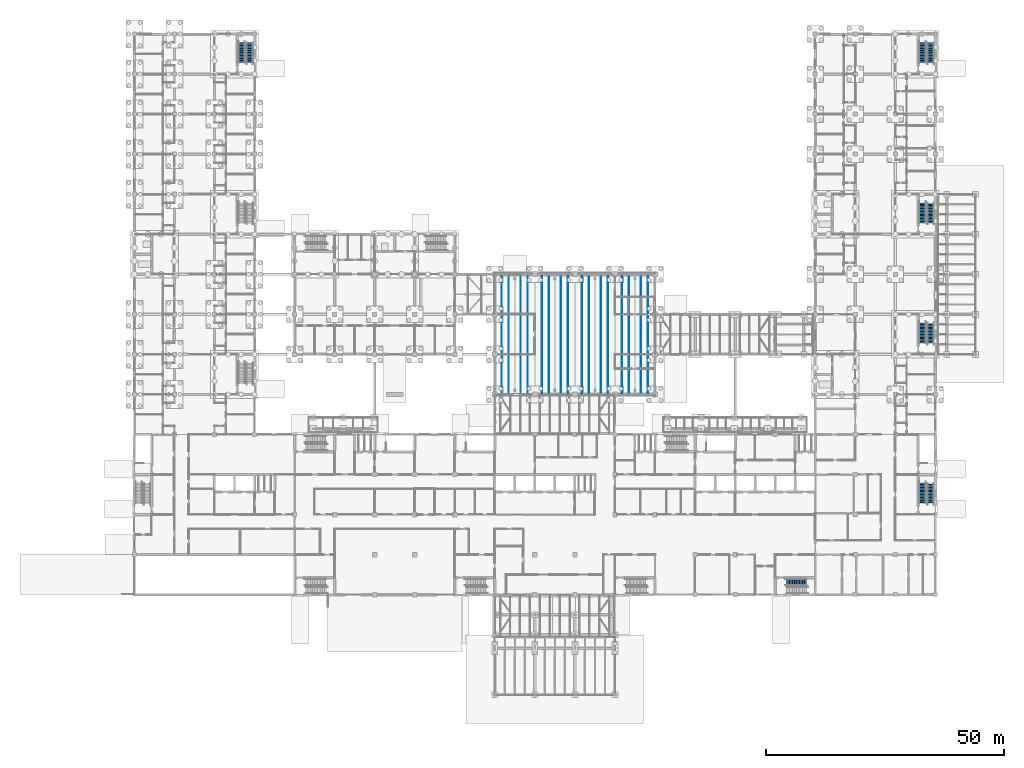
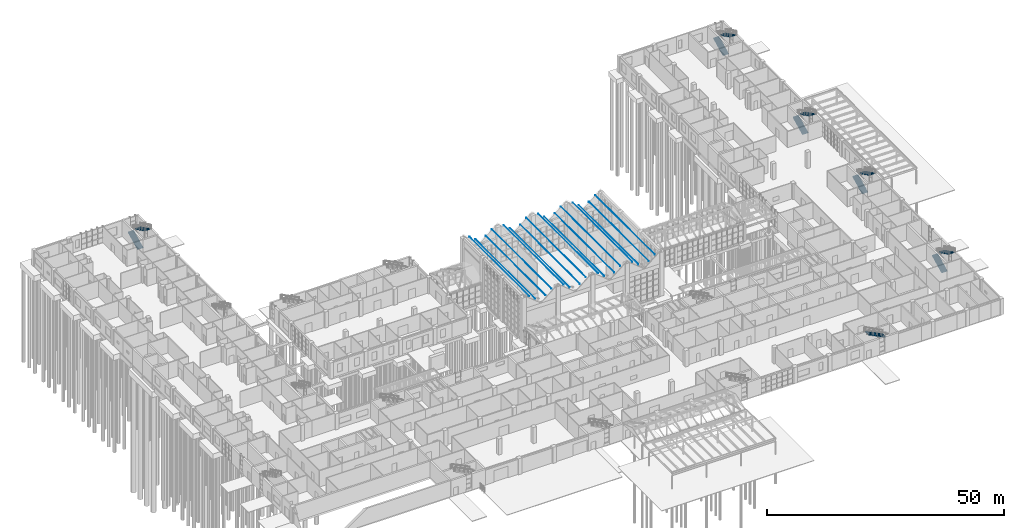
# One storey, part 125 of 138: 16 discrete accessories, 11 stair flights, 6 elements without a shape of their own.
"""IFC4 building model written with IfcOpenShell, lengths in metres."""

from ifc_helpers import new_model, si_unit, direction, frame, origin, origin_2d, place, context, subcontext, project, spatial, polyline, hollow_rectangle, outline, extrude, material, material_profile, profile_set, type_object, element, aggregate, save


model = new_model("IFC4")

# Units and contexts
model_context = context("Model", 3, precision=1e-05, world=origin(), true_north=direction((0.0, 1.0)))
body_context = subcontext(model_context, "Body", "Model", "MODEL_VIEW")
ifc_project = project(units=[si_unit("LENGTHUNIT", "METRE"), si_unit("AREAUNIT", "SQUARE_METRE"), si_unit("VOLUMEUNIT", "CUBIC_METRE"), si_unit("PLANEANGLEUNIT", "RADIAN"), si_unit("MASSUNIT", "GRAM", prefix="KILO")], contexts=[model_context])

# Site, building, storey
site_placement = place(None, origin())
site = spatial("IfcSite", under=ifc_project, at=site_placement, CompositionType="ELEMENT")
building_placement = place(site_placement, origin())
building = spatial("IfcBuilding", under=site, at=building_placement, Name="Yavir Park General Hospital", CompositionType="ELEMENT")
storey_placement = place(building_placement, origin())
storey = spatial("IfcBuildingStorey", under=building, at=storey_placement, Name="L00", CompositionType="ELEMENT", Elevation=0.0)

# Stair, stair flight
ifc_material_1 = material(Name="Concrete C30/37", Category="concrete")
stair_type = type_object("IfcStairType", Name="Patient escape stair, 30 risers of 150 mm, 1400 mm flights", PredefinedType="HALF_TURN_STAIR", material=ifc_material_1)
stair_1_placement = place(storey_placement, origin())
stair_1 = element("IfcStair", 1, at=stair_1_placement, inside=storey, type_object=stair_type, Name="Stair SU5, L00 to L01", PredefinedType="HALF_TURN_STAIR")
ifc_material_2 = material(Name="Concrete C30/37", Category="concrete")
stair_flight_type = type_object("IfcStairFlightType", Name="Patient escape stair flight, 15 risers, 1400 mm wide", PredefinedType="STRAIGHT", material=ifc_material_2)
stair_flight_1_placement = place(storey_placement, frame((141.0, 2.64990234375, 2.25), z_axis=(0.0, 0.0, 1.0), x_axis=(-1.0, 0.0, 0.0)))
stair_flight_1 = element("IfcStairFlight", 2, at=stair_flight_1_placement, type_object=stair_flight_type, Name="SU5 flight 2", NumberOfRisers=15, NumberOfTreads=14, PredefinedType="STRAIGHT", RiserHeight=0.15, TreadLength=0.3, context=body_context, shape_type="SweptSolid", body=[
    extrude(outline(polyline([(0.0, 0.0), (0.0, 0.14990234375), (0.300048828125, 0.14990234375), (0.300048828125, 0.300048828125), (0.60009765625, 0.300048828125), (0.60009765625, 0.449951171875), (0.89990234375, 0.449951171875), (0.89990234375, 0.60009765625), (1.199951171875, 0.60009765625), (1.199951171875, 0.75), (1.5, 0.75), (1.5, 0.89990234375), (1.800048828125, 0.89990234375), (1.800048828125, 1.050048828125), (2.10009765625, 1.050048828125), (2.10009765625, 1.199951171875), (2.39990234375, 1.199951171875), (2.39990234375, 1.35009765625), (2.699951171875, 1.35009765625), (2.699951171875, 1.5), (3.0, 1.5), (3.0, 1.64990234375), (3.300048828125, 1.64990234375), (3.300048828125, 1.800048828125), (3.60009765625, 1.800048828125), (3.60009765625, 1.949951171875), (3.89990234375, 1.949951171875), (3.89990234375, 2.10009765625), (4.199951171875, 2.10009765625), (4.199951171875, 2.25), (4.199951171875, 1.921142578125), (0.357666015625, 0.0), (0.0, 0.0)])), frame((0.0, 0.699951171875, 0.0), z_axis=(0.0, -1.0, 0.0), x_axis=(1.0, 0.0, 0.0)), (0.0, 0.0, 1.0), 1.39990234375),
])
aggregate(stair_1, [stair_flight_1])

# Stair, stair flights
stair_2_placement = place(storey_placement, origin())
stair_2 = element("IfcStair", 3, at=stair_2_placement, inside=storey, type_object=stair_type, Name="Stair SU6, L00 to L01", PredefinedType="HALF_TURN_STAIR")
stair_flight_2_placement = place(storey_placement, frame((165.300048828125, 19.199951171875, 0.0), z_axis=(0.0, 0.0, 1.0), x_axis=(0.0, 1.0, 0.0)))
stair_flight_2 = element("IfcStairFlight", 4, at=stair_flight_2_placement, type_object=stair_flight_type, Name="SU6 flight 1", NumberOfRisers=15, NumberOfTreads=14, PredefinedType="STRAIGHT", RiserHeight=0.15, TreadLength=0.3, context=body_context, shape_type="SweptSolid", body=[
    extrude(outline(polyline([(0.0, 0.0), (0.0, 0.14990234375), (0.300048828125, 0.14990234375), (0.300048828125, 0.300048828125), (0.60009765625, 0.300048828125), (0.60009765625, 0.449951171875), (0.89990234375, 0.449951171875), (0.89990234375, 0.60009765625), (1.199951171875, 0.60009765625), (1.199951171875, 0.75), (1.5, 0.75), (1.5, 0.89990234375), (1.800048828125, 0.89990234375), (1.800048828125, 1.050048828125), (2.10009765625, 1.050048828125), (2.10009765625, 1.199951171875), (2.39990234375, 1.199951171875), (2.39990234375, 1.35009765625), (2.699951171875, 1.35009765625), (2.699951171875, 1.5), (3.0, 1.5), (3.0, 1.64990234375), (3.300048828125, 1.64990234375), (3.300048828125, 1.800048828125), (3.60009765625, 1.800048828125), (3.60009765625, 1.949951171875), (3.89990234375, 1.949951171875), (3.89990234375, 2.10009765625), (4.199951171875, 2.10009765625), (4.199951171875, 2.25), (4.199951171875, 1.921142578125), (0.357666015625, 0.0), (0.0, 0.0)])), frame((0.0, 0.699951171875, 0.0), z_axis=(0.0, -1.0, 0.0), x_axis=(1.0, 0.0, 0.0)), (0.0, 0.0, 1.0), 1.39990234375),
])
stair_flight_3_placement = place(storey_placement, frame((167.0, 23.39990234375, 2.25), z_axis=(0.0, 0.0, 1.0), x_axis=(0.0, -1.0, 0.0)))
stair_flight_3 = element("IfcStairFlight", 5, at=stair_flight_3_placement, type_object=stair_flight_type, Name="SU6 flight 2", NumberOfRisers=15, NumberOfTreads=14, PredefinedType="STRAIGHT", RiserHeight=0.15, TreadLength=0.3, context=body_context, shape_type="SweptSolid", body=[
    extrude(outline(polyline([(0.0, 0.0), (0.0, 0.14990234375), (0.300048828125, 0.14990234375), (0.300048828125, 0.300048828125), (0.60009765625, 0.300048828125), (0.60009765625, 0.449951171875), (0.89990234375, 0.449951171875), (0.89990234375, 0.60009765625), (1.199951171875, 0.60009765625), (1.199951171875, 0.75), (1.5, 0.75), (1.5, 0.89990234375), (1.800048828125, 0.89990234375), (1.800048828125, 1.050048828125), (2.10009765625, 1.050048828125), (2.10009765625, 1.199951171875), (2.39990234375, 1.199951171875), (2.39990234375, 1.35009765625), (2.699951171875, 1.35009765625), (2.699951171875, 1.5), (3.0, 1.5), (3.0, 1.64990234375), (3.300048828125, 1.64990234375), (3.300048828125, 1.800048828125), (3.60009765625, 1.800048828125), (3.60009765625, 1.949951171875), (3.89990234375, 1.949951171875), (3.89990234375, 2.10009765625), (4.199951171875, 2.10009765625), (4.199951171875, 2.25), (4.199951171875, 1.921142578125), (0.357666015625, 0.0), (0.0, 0.0)])), frame((0.0, 0.699951171875, 0.0), z_axis=(0.0, -1.0, 0.0), x_axis=(1.0, 0.0, 0.0)), (0.0, 0.0, 1.0), 1.39990234375),
])
aggregate(stair_2, [stair_flight_2, stair_flight_3])

stair_3_placement = place(storey_placement, origin())
stair_3 = element("IfcStair", 6, at=stair_3_placement, inside=storey, type_object=stair_type, Name="Stair SW3, L00 to L01", PredefinedType="HALF_TURN_STAIR")
stair_flight_4_placement = place(storey_placement, frame((22.5, 111.60009765625, 0.0), z_axis=(0.0, 0.0, 1.0), x_axis=(0.0, 1.0, 0.0)))
stair_flight_4 = element("IfcStairFlight", 7, at=stair_flight_4_placement, type_object=stair_flight_type, Name="SW3 flight 1", NumberOfRisers=15, NumberOfTreads=14, PredefinedType="STRAIGHT", RiserHeight=0.15, TreadLength=0.3, context=body_context, shape_type="SweptSolid", body=[
    extrude(outline(polyline([(0.0, 0.0), (0.0, 0.14990234375), (0.300048828125, 0.14990234375), (0.300048828125, 0.300048828125), (0.60009765625, 0.300048828125), (0.60009765625, 0.449951171875), (0.89990234375, 0.449951171875), (0.89990234375, 0.60009765625), (1.199951171875, 0.60009765625), (1.199951171875, 0.75), (1.5, 0.75), (1.5, 0.89990234375), (1.800048828125, 0.89990234375), (1.800048828125, 1.050048828125), (2.10009765625, 1.050048828125), (2.10009765625, 1.199951171875), (2.39990234375, 1.199951171875), (2.39990234375, 1.35009765625), (2.699951171875, 1.35009765625), (2.699951171875, 1.5), (3.0, 1.5), (3.0, 1.64990234375), (3.300048828125, 1.64990234375), (3.300048828125, 1.800048828125), (3.60009765625, 1.800048828125), (3.60009765625, 1.949951171875), (3.89990234375, 1.949951171875), (3.89990234375, 2.10009765625), (4.199951171875, 2.10009765625), (4.199951171875, 2.25), (4.199951171875, 1.921142578125), (0.357666015625, 0.0), (0.0, 0.0)])), frame((0.0, 0.699951171875, 0.0), z_axis=(0.0, -1.0, 0.0), x_axis=(1.0, 0.0, 0.0)), (0.0, 0.0, 1.0), 1.39990234375),
])
stair_flight_5_placement = place(storey_placement, frame((24.199951171875, 115.800048828125, 2.25), z_axis=(0.0, 0.0, 1.0), x_axis=(0.0, -1.0, 0.0)))
stair_flight_5 = element("IfcStairFlight", 8, at=stair_flight_5_placement, type_object=stair_flight_type, Name="SW3 flight 2", NumberOfRisers=15, NumberOfTreads=14, PredefinedType="STRAIGHT", RiserHeight=0.15, TreadLength=0.3, context=body_context, shape_type="SweptSolid", body=[
    extrude(outline(polyline([(0.0, 0.0), (0.0, 0.14990234375), (0.300048828125, 0.14990234375), (0.300048828125, 0.300048828125), (0.60009765625, 0.300048828125), (0.60009765625, 0.449951171875), (0.89990234375, 0.449951171875), (0.89990234375, 0.60009765625), (1.199951171875, 0.60009765625), (1.199951171875, 0.75), (1.5, 0.75), (1.5, 0.89990234375), (1.800048828125, 0.89990234375), (1.800048828125, 1.050048828125), (2.10009765625, 1.050048828125), (2.10009765625, 1.199951171875), (2.39990234375, 1.199951171875), (2.39990234375, 1.35009765625), (2.699951171875, 1.35009765625), (2.699951171875, 1.5), (3.0, 1.5), (3.0, 1.64990234375), (3.300048828125, 1.64990234375), (3.300048828125, 1.800048828125), (3.60009765625, 1.800048828125), (3.60009765625, 1.949951171875), (3.89990234375, 1.949951171875), (3.89990234375, 2.10009765625), (4.199951171875, 2.10009765625), (4.199951171875, 2.25), (4.199951171875, 1.921142578125), (0.357666015625, 0.0), (0.0, 0.0)])), frame((0.0, 0.699951171875, 0.0), z_axis=(0.0, -1.0, 0.0), x_axis=(1.0, 0.0, 0.0)), (0.0, 0.0, 1.0), 1.39990234375),
])
aggregate(stair_3, [stair_flight_4, stair_flight_5])

stair_4_placement = place(storey_placement, origin())
stair_4 = element("IfcStair", 9, at=stair_4_placement, inside=storey, type_object=stair_type, Name="Stair ES1, L00 to L01", PredefinedType="HALF_TURN_STAIR")
stair_flight_6_placement = place(storey_placement, frame((165.300048828125, 52.800048828125, 0.0), z_axis=(0.0, 0.0, 1.0), x_axis=(0.0, 1.0, 0.0)))
stair_flight_6 = element("IfcStairFlight", 10, at=stair_flight_6_placement, type_object=stair_flight_type, Name="ES1 flight 1", NumberOfRisers=15, NumberOfTreads=14, PredefinedType="STRAIGHT", RiserHeight=0.15, TreadLength=0.3, context=body_context, shape_type="SweptSolid", body=[
    extrude(outline(polyline([(0.0, 0.0), (0.0, 0.14990234375), (0.300048828125, 0.14990234375), (0.300048828125, 0.300048828125), (0.60009765625, 0.300048828125), (0.60009765625, 0.449951171875), (0.89990234375, 0.449951171875), (0.89990234375, 0.60009765625), (1.199951171875, 0.60009765625), (1.199951171875, 0.75), (1.5, 0.75), (1.5, 0.89990234375), (1.800048828125, 0.89990234375), (1.800048828125, 1.050048828125), (2.10009765625, 1.050048828125), (2.10009765625, 1.199951171875), (2.39990234375, 1.199951171875), (2.39990234375, 1.35009765625), (2.699951171875, 1.35009765625), (2.699951171875, 1.5), (3.0, 1.5), (3.0, 1.64990234375), (3.300048828125, 1.64990234375), (3.300048828125, 1.800048828125), (3.60009765625, 1.800048828125), (3.60009765625, 1.949951171875), (3.89990234375, 1.949951171875), (3.89990234375, 2.10009765625), (4.199951171875, 2.10009765625), (4.199951171875, 2.25), (4.199951171875, 1.921142578125), (0.357666015625, 0.0), (0.0, 0.0)])), frame((0.0, 0.699951171875, 0.0), z_axis=(0.0, -1.0, 0.0), x_axis=(1.0, 0.0, 0.0)), (0.0, 0.0, 1.0), 1.39990234375),
])
stair_flight_7_placement = place(storey_placement, frame((167.0, 57.0, 2.25), z_axis=(0.0, 0.0, 1.0), x_axis=(0.0, -1.0, 0.0)))
stair_flight_7 = element("IfcStairFlight", 11, at=stair_flight_7_placement, type_object=stair_flight_type, Name="ES1 flight 2", NumberOfRisers=15, NumberOfTreads=14, PredefinedType="STRAIGHT", RiserHeight=0.15, TreadLength=0.3, context=body_context, shape_type="SweptSolid", body=[
    extrude(outline(polyline([(0.0, 0.0), (0.0, 0.14990234375), (0.300048828125, 0.14990234375), (0.300048828125, 0.300048828125), (0.60009765625, 0.300048828125), (0.60009765625, 0.449951171875), (0.89990234375, 0.449951171875), (0.89990234375, 0.60009765625), (1.199951171875, 0.60009765625), (1.199951171875, 0.75), (1.5, 0.75), (1.5, 0.89990234375), (1.800048828125, 0.89990234375), (1.800048828125, 1.050048828125), (2.10009765625, 1.050048828125), (2.10009765625, 1.199951171875), (2.39990234375, 1.199951171875), (2.39990234375, 1.35009765625), (2.699951171875, 1.35009765625), (2.699951171875, 1.5), (3.0, 1.5), (3.0, 1.64990234375), (3.300048828125, 1.64990234375), (3.300048828125, 1.800048828125), (3.60009765625, 1.800048828125), (3.60009765625, 1.949951171875), (3.89990234375, 1.949951171875), (3.89990234375, 2.10009765625), (4.199951171875, 2.10009765625), (4.199951171875, 2.25), (4.199951171875, 1.921142578125), (0.357666015625, 0.0), (0.0, 0.0)])), frame((0.0, 0.699951171875, 0.0), z_axis=(0.0, -1.0, 0.0), x_axis=(1.0, 0.0, 0.0)), (0.0, 0.0, 1.0), 1.39990234375),
])
aggregate(stair_4, [stair_flight_6, stair_flight_7])

stair_5_placement = place(storey_placement, origin())
stair_5 = element("IfcStair", 12, at=stair_5_placement, inside=storey, type_object=stair_type, Name="Stair ES2, L00 to L01", PredefinedType="HALF_TURN_STAIR")
stair_flight_8_placement = place(storey_placement, frame((165.300048828125, 78.0, 0.0), z_axis=(0.0, 0.0, 1.0), x_axis=(0.0, 1.0, 0.0)))
stair_flight_8 = element("IfcStairFlight", 13, at=stair_flight_8_placement, type_object=stair_flight_type, Name="ES2 flight 1", NumberOfRisers=15, NumberOfTreads=14, PredefinedType="STRAIGHT", RiserHeight=0.15, TreadLength=0.3, context=body_context, shape_type="SweptSolid", body=[
    extrude(outline(polyline([(0.0, 0.0), (0.0, 0.14990234375), (0.300048828125, 0.14990234375), (0.300048828125, 0.300048828125), (0.60009765625, 0.300048828125), (0.60009765625, 0.449951171875), (0.89990234375, 0.449951171875), (0.89990234375, 0.60009765625), (1.199951171875, 0.60009765625), (1.199951171875, 0.75), (1.5, 0.75), (1.5, 0.89990234375), (1.800048828125, 0.89990234375), (1.800048828125, 1.050048828125), (2.10009765625, 1.050048828125), (2.10009765625, 1.199951171875), (2.39990234375, 1.199951171875), (2.39990234375, 1.35009765625), (2.699951171875, 1.35009765625), (2.699951171875, 1.5), (3.0, 1.5), (3.0, 1.64990234375), (3.300048828125, 1.64990234375), (3.300048828125, 1.800048828125), (3.60009765625, 1.800048828125), (3.60009765625, 1.949951171875), (3.89990234375, 1.949951171875), (3.89990234375, 2.10009765625), (4.199951171875, 2.10009765625), (4.199951171875, 2.25), (4.199951171875, 1.921142578125), (0.357666015625, 0.0), (0.0, 0.0)])), frame((0.0, 0.699951171875, 0.0), z_axis=(0.0, -1.0, 0.0), x_axis=(1.0, 0.0, 0.0)), (0.0, 0.0, 1.0), 1.39990234375),
])
stair_flight_9_placement = place(storey_placement, frame((167.0, 82.199951171875, 2.25), z_axis=(0.0, 0.0, 1.0), x_axis=(0.0, -1.0, 0.0)))
stair_flight_9 = element("IfcStairFlight", 14, at=stair_flight_9_placement, type_object=stair_flight_type, Name="ES2 flight 2", NumberOfRisers=15, NumberOfTreads=14, PredefinedType="STRAIGHT", RiserHeight=0.15, TreadLength=0.3, context=body_context, shape_type="SweptSolid", body=[
    extrude(outline(polyline([(0.0, 0.0), (0.0, 0.14990234375), (0.300048828125, 0.14990234375), (0.300048828125, 0.300048828125), (0.60009765625, 0.300048828125), (0.60009765625, 0.449951171875), (0.89990234375, 0.449951171875), (0.89990234375, 0.60009765625), (1.199951171875, 0.60009765625), (1.199951171875, 0.75), (1.5, 0.75), (1.5, 0.89990234375), (1.800048828125, 0.89990234375), (1.800048828125, 1.050048828125), (2.10009765625, 1.050048828125), (2.10009765625, 1.199951171875), (2.39990234375, 1.199951171875), (2.39990234375, 1.35009765625), (2.699951171875, 1.35009765625), (2.699951171875, 1.5), (3.0, 1.5), (3.0, 1.64990234375), (3.300048828125, 1.64990234375), (3.300048828125, 1.800048828125), (3.60009765625, 1.800048828125), (3.60009765625, 1.949951171875), (3.89990234375, 1.949951171875), (3.89990234375, 2.10009765625), (4.199951171875, 2.10009765625), (4.199951171875, 2.25), (4.199951171875, 1.921142578125), (0.357666015625, 0.0), (0.0, 0.0)])), frame((0.0, 0.699951171875, 0.0), z_axis=(0.0, -1.0, 0.0), x_axis=(1.0, 0.0, 0.0)), (0.0, 0.0, 1.0), 1.39990234375),
])
aggregate(stair_5, [stair_flight_8, stair_flight_9])

stair_6_placement = place(storey_placement, origin())
stair_6 = element("IfcStair", 15, at=stair_6_placement, inside=storey, type_object=stair_type, Name="Stair ES3, L00 to L01", PredefinedType="HALF_TURN_STAIR")
stair_flight_10_placement = place(storey_placement, frame((165.300048828125, 111.60009765625, 0.0), z_axis=(0.0, 0.0, 1.0), x_axis=(0.0, 1.0, 0.0)))
stair_flight_10 = element("IfcStairFlight", 16, at=stair_flight_10_placement, type_object=stair_flight_type, Name="ES3 flight 1", NumberOfRisers=15, NumberOfTreads=14, PredefinedType="STRAIGHT", RiserHeight=0.15, TreadLength=0.3, context=body_context, shape_type="SweptSolid", body=[
    extrude(outline(polyline([(0.0, 0.0), (0.0, 0.14990234375), (0.300048828125, 0.14990234375), (0.300048828125, 0.300048828125), (0.60009765625, 0.300048828125), (0.60009765625, 0.449951171875), (0.89990234375, 0.449951171875), (0.89990234375, 0.60009765625), (1.199951171875, 0.60009765625), (1.199951171875, 0.75), (1.5, 0.75), (1.5, 0.89990234375), (1.800048828125, 0.89990234375), (1.800048828125, 1.050048828125), (2.10009765625, 1.050048828125), (2.10009765625, 1.199951171875), (2.39990234375, 1.199951171875), (2.39990234375, 1.35009765625), (2.699951171875, 1.35009765625), (2.699951171875, 1.5), (3.0, 1.5), (3.0, 1.64990234375), (3.300048828125, 1.64990234375), (3.300048828125, 1.800048828125), (3.60009765625, 1.800048828125), (3.60009765625, 1.949951171875), (3.89990234375, 1.949951171875), (3.89990234375, 2.10009765625), (4.199951171875, 2.10009765625), (4.199951171875, 2.25), (4.199951171875, 1.921142578125), (0.357666015625, 0.0), (0.0, 0.0)])), frame((0.0, 0.699951171875, 0.0), z_axis=(0.0, -1.0, 0.0), x_axis=(1.0, 0.0, 0.0)), (0.0, 0.0, 1.0), 1.39990234375),
])
stair_flight_11_placement = place(storey_placement, frame((167.0, 115.800048828125, 2.25), z_axis=(0.0, 0.0, 1.0), x_axis=(0.0, -1.0, 0.0)))
stair_flight_11 = element("IfcStairFlight", 17, at=stair_flight_11_placement, type_object=stair_flight_type, Name="ES3 flight 2", NumberOfRisers=15, NumberOfTreads=14, PredefinedType="STRAIGHT", RiserHeight=0.15, TreadLength=0.3, context=body_context, shape_type="SweptSolid", body=[
    extrude(outline(polyline([(0.0, 0.0), (0.0, 0.14990234375), (0.300048828125, 0.14990234375), (0.300048828125, 0.300048828125), (0.60009765625, 0.300048828125), (0.60009765625, 0.449951171875), (0.89990234375, 0.449951171875), (0.89990234375, 0.60009765625), (1.199951171875, 0.60009765625), (1.199951171875, 0.75), (1.5, 0.75), (1.5, 0.89990234375), (1.800048828125, 0.89990234375), (1.800048828125, 1.050048828125), (2.10009765625, 1.050048828125), (2.10009765625, 1.199951171875), (2.39990234375, 1.199951171875), (2.39990234375, 1.35009765625), (2.699951171875, 1.35009765625), (2.699951171875, 1.5), (3.0, 1.5), (3.0, 1.64990234375), (3.300048828125, 1.64990234375), (3.300048828125, 1.800048828125), (3.60009765625, 1.800048828125), (3.60009765625, 1.949951171875), (3.89990234375, 1.949951171875), (3.89990234375, 2.10009765625), (4.199951171875, 2.10009765625), (4.199951171875, 2.25), (4.199951171875, 1.921142578125), (0.357666015625, 0.0), (0.0, 0.0)])), frame((0.0, 0.699951171875, 0.0), z_axis=(0.0, -1.0, 0.0), x_axis=(1.0, 0.0, 0.0)), (0.0, 0.0, 1.0), 1.39990234375),
])
aggregate(stair_6, [stair_flight_10, stair_flight_11])

# Discrete accessories
ifc_material_3 = material(Name="Steel S355", Category="steel")
ifc_material_profile = material_profile(ifc_material_3, hollow_rectangle(XDim=0.050048828125, YDim=0.050048828125, WallThickness=0.0029296875, InnerFilletRadius=0.0029296875, OuterFilletRadius=0.006103515625, at=origin_2d()), Name="RHS50x50x3")
ifc_profile_set = profile_set([ifc_material_profile], Name="Steel S355")
discrete_accessory_type = type_object("IfcDiscreteAccessoryType", Name="Snow guard bar SHS 50", PredefinedType="BRACKET", material=ifc_profile_set)
for number, where, z_axis, x_axis, name in (
    (18, (78.5400390625, 42.0, 9.697509765625), (0.0, 1.0, 0.0), (-1.0, 0.0, 0.0), "Snow guard bar HALL-F01.1"),
    (19, (77.070068359375, 42.0, 10.887451171875), (0.0, 1.0, 0.0), (-1.0, 0.0, 0.0), "Snow guard bar HALL-F01.2"),
    (20, (81.06005859375, 42.0, 9.697509765625), (0.0, 1.0, 0.0), (-1.0, 0.0, 0.0), "Snow guard bar HALL-F02.1"),
    (21, (82.530029296875, 42.0, 10.887451171875), (0.0, 1.0, 0.0), (-1.0, 0.0, 0.0), "Snow guard bar HALL-F02.2"),
    (22, (86.93994140625, 42.0, 9.697509765625), (0.0, 1.0, 0.0), (-1.0, 0.0, 0.0), "Snow guard bar HALL-F03.1"),
    (23, (85.469970703125, 42.0, 10.887451171875), (0.0, 1.0, 0.0), (-1.0, 0.0, 0.0), "Snow guard bar HALL-F03.2"),
    (24, (89.4599609375, 42.0, 9.697509765625), (0.0, 1.0, 0.0), (-1.0, 0.0, 0.0), "Snow guard bar HALL-F04.1"),
    (25, (90.929931640625, 42.0, 10.887451171875), (0.0, 1.0, 0.0), (-1.0, 0.0, 0.0), "Snow guard bar HALL-F04.2"),
    (26, (95.340087890625, 42.0, 9.697509765625), (0.0, 1.0, 0.0), (-1.0, 0.0, 0.0), "Snow guard bar HALL-F05.1"),
    (27, (93.8701171875, 42.0, 10.887451171875), (0.0, 1.0, 0.0), (-1.0, 0.0, 0.0), "Snow guard bar HALL-F05.2"),
    (28, (97.860107421875, 42.0, 9.697509765625), (0.0, 1.0, 0.0), (-1.0, 0.0, 0.0), "Snow guard bar HALL-F06.1"),
    (29, (99.330078125, 42.0, 10.887451171875), (0.0, 1.0, 0.0), (-1.0, 0.0, 0.0), "Snow guard bar HALL-F06.2"),
    (30, (103.739990234375, 42.0, 9.697509765625), (0.0, 1.0, 0.0), (-1.0, 0.0, 0.0), "Snow guard bar HALL-F07.1"),
    (31, (102.27001953125, 42.0, 10.887451171875), (0.0, 1.0, 0.0), (-1.0, 0.0, 0.0), "Snow guard bar HALL-F07.2"),
    (32, (106.260009765625, 42.0, 9.697509765625), (0.0, 1.0, 0.0), (-1.0, 0.0, 0.0), "Snow guard bar HALL-F08.1"),
    (33, (107.72998046875, 42.0, 10.887451171875), (0.0, 1.0, 0.0), (-1.0, 0.0, 0.0), "Snow guard bar HALL-F08.2"),
):
    element("IfcDiscreteAccessory", number, at=place(storey_placement, frame(where, z_axis=z_axis, x_axis=x_axis)), inside=storey, type_object=discrete_accessory_type, Name=name, PredefinedType="BRACKET", context=body_context, shape_type="SweptSolid", body=[
        extrude(hollow_rectangle(XDim=0.050048828125, YDim=0.050048828125, WallThickness=0.0029296875, InnerFilletRadius=0.0029296875, OuterFilletRadius=0.006103515625, at=origin_2d()), origin(), (0.0, 0.0, 1.0), 25.199951171875),
    ])

save(model, "model.ifc")
